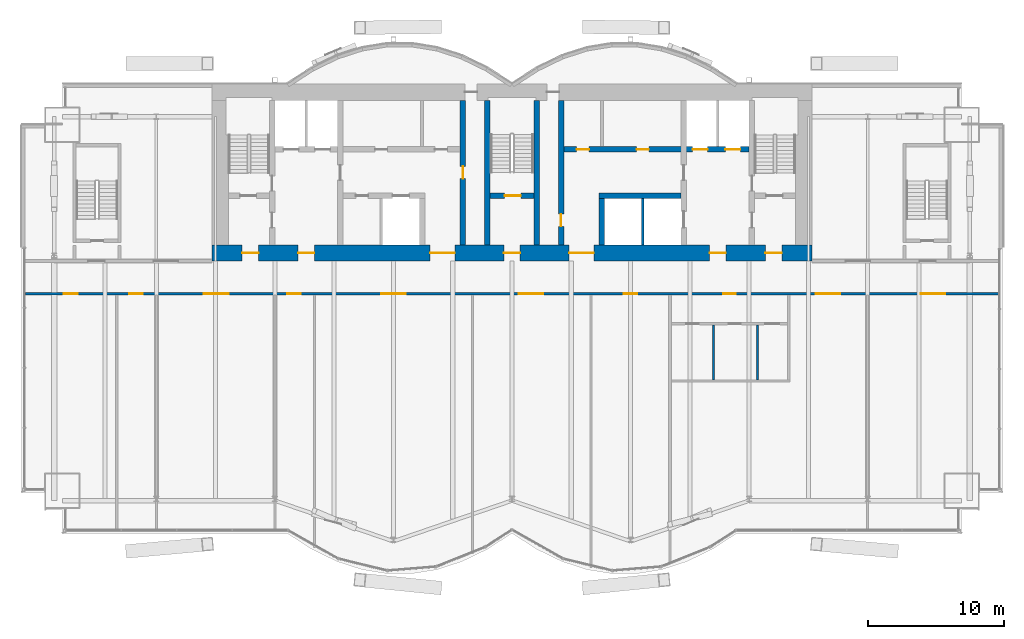
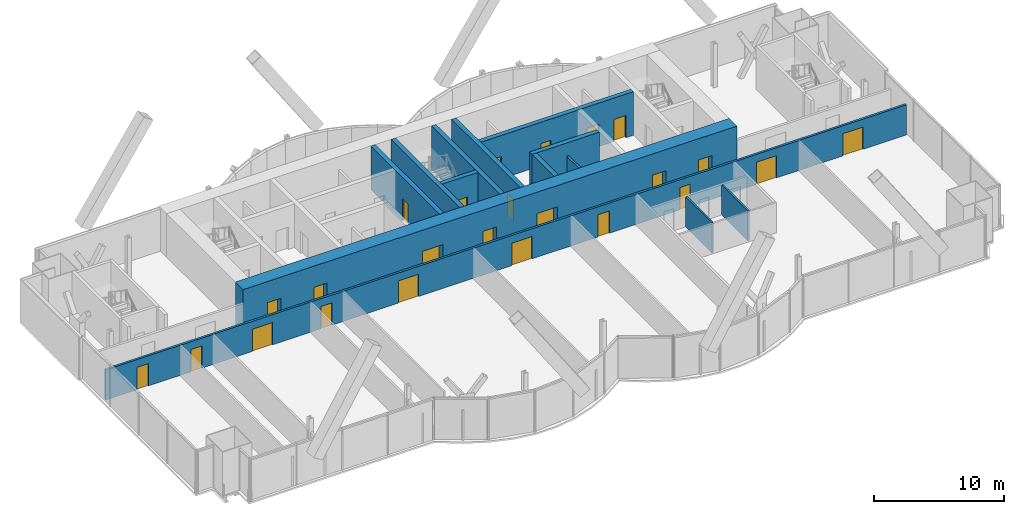
# One storey, part 16 of 21: 24 doors, 13 walls, 24 openings.
"""IFC4 building model written with IfcOpenShell, lengths in metres."""

from ifc_helpers import new_model, si_unit, direction, frame, frame_2d, origin, place, context, subcontext, project, spatial, rectangle, extrude, material, layer, layer_set, type_object, element, fill, save


model = new_model("IFC4")

# Units and contexts
model_context = context("Model", 3, precision=1e-05, world=origin(), true_north=direction((0.0, 1.0)))
body_context = subcontext(model_context, "Body", "Model", "MODEL_VIEW")
ifc_project = project(units=[si_unit("LENGTHUNIT", "METRE"), si_unit("AREAUNIT", "SQUARE_METRE"), si_unit("VOLUMEUNIT", "CUBIC_METRE"), si_unit("PLANEANGLEUNIT", "RADIAN"), si_unit("MASSUNIT", "GRAM", prefix="KILO")], contexts=[model_context])

# Site, building, storey
site_placement = place(None, origin())
site = spatial("IfcSite", under=ifc_project, at=site_placement, CompositionType="ELEMENT")
building_placement = place(site_placement, origin())
building = spatial("IfcBuilding", under=site, at=building_placement, Name="Bicima Exchange Tower", CompositionType="ELEMENT")
storey_placement = place(building_placement, frame((0.0, 0.0, 195.0)))
storey = spatial("IfcBuildingStorey", under=building, at=storey_placement, Name="L43", CompositionType="ELEMENT", Elevation=195.0)

# Wall
ifc_material_1 = material(Name="Gypsum board partition")
ifc_layer_1 = layer(ifc_material_1, 0.199951171875)
ifc_layer_set_1 = layer_set([ifc_layer_1], Name="Gypsum board partition")
wall_type_1 = type_object("IfcWallType", Name="Fire-rated gypsum partition 200 EI120", PredefinedType="PARTITIONING", material=ifc_layer_set_1)
wall_1_placement = place(storey_placement, frame((9.60009765625, -11.800048828125, 0.0), z_axis=(0.0, 0.0, 1.0), x_axis=(0.0, 1.0, 0.0)))
element("IfcWall", 1, at=wall_1_placement, inside=storey, type_object=wall_type_1, Name="partition wall 20", PredefinedType="PARTITIONING", context=body_context, shape_type="SweptSolid", body=[
    extrude(rectangle(XDim=3.400146484375, YDim=0.199951171875, at=frame_2d((1.7001953125, 0.0))), origin(), (0.0, 0.0, 1.0), 2.84033203125),
])

# Wall, openings, doors
ifc_layer_2 = layer(ifc_material_1, 0.199951171875)
ifc_layer_set_2 = layer_set([ifc_layer_2], Name="Gypsum board partition")
wall_type_2 = type_object("IfcWallType", Name="Fire-rated gypsum partition 200 EI60", PredefinedType="PARTITIONING", material=ifc_layer_set_2)
wall_2_placement = place(storey_placement, frame((-35.679931640625, -15.39990234375, 0.0), z_axis=(0.0, 0.0, 1.0), x_axis=(1.0, 0.0, 0.0)))
wall_2 = element("IfcWall", 2, at=wall_2_placement, inside=storey, type_object=wall_type_2, Name="partition wall 3", PredefinedType="PARTITIONING", context=body_context, shape_type="SweptSolid", body=[
    extrude(rectangle(XDim=71.35986328125, YDim=0.199951171875, at=frame_2d((35.679931640625, 0.0))), origin(), (0.0, 0.0, 1.0), 2.84033203125),
])
opening_1_placement = place(wall_2_placement, frame((2.800048828125, 0.0, 0.0)))
opening_1 = element("IfcOpeningElement", 3, at=opening_1_placement, cuts=wall_2, Name="Opening L43-007", PredefinedType="OPENING", context=body_context, shape_type="SweptSolid", body=[
    extrude(rectangle(XDim=1.0, YDim=2.10009765625, at=frame_2d((0.5, 1.050048828125))), frame((0.0, 0.11181640625, 0.0), z_axis=(0.0, -1.0, 0.0), x_axis=(1.0, 0.0, 0.0)), (0.0, 0.0, 1.0), 0.223876953125),
])
opening_2_placement = place(wall_2_placement, frame((7.580078125, 0.0, 0.0)))
opening_2 = element("IfcOpeningElement", 4, at=opening_2_placement, cuts=wall_2, Name="Opening L43-008", PredefinedType="OPENING", context=body_context, shape_type="SweptSolid", body=[
    extrude(rectangle(XDim=1.0, YDim=2.10009765625, at=frame_2d((0.5, 1.050048828125))), frame((0.0, 0.11181640625, 0.0), z_axis=(0.0, -1.0, 0.0), x_axis=(1.0, 0.0, 0.0)), (0.0, 0.0, 1.0), 0.223876953125),
])
opening_3_placement = place(wall_2_placement, frame((13.080078125, 0.0, 0.0)))
opening_3 = element("IfcOpeningElement", 5, at=opening_3_placement, cuts=wall_2, Name="Opening L43-009", PredefinedType="OPENING", context=body_context, shape_type="SweptSolid", body=[
    extrude(rectangle(XDim=1.800048828125, YDim=2.10009765625, at=frame_2d((0.89990234375, 1.050048828125))), frame((0.0, 0.11181640625, 0.0), z_axis=(0.0, -1.0, 0.0), x_axis=(1.0, 0.0, 0.0)), (0.0, 0.0, 1.0), 0.223876953125),
])
opening_4_placement = place(wall_2_placement, frame((19.179931640625, 0.0, 0.0)))
opening_4 = element("IfcOpeningElement", 6, at=opening_4_placement, cuts=wall_2, Name="Opening L43-010", PredefinedType="OPENING", context=body_context, shape_type="SweptSolid", body=[
    extrude(rectangle(XDim=1.0, YDim=2.10009765625, at=frame_2d((0.5, 1.050048828125))), frame((0.0, 0.11181640625, 0.0), z_axis=(0.0, -1.0, 0.0), x_axis=(1.0, 0.0, 0.0)), (0.0, 0.0, 1.0), 0.223876953125),
])
opening_5_placement = place(wall_2_placement, frame((26.080078125, 0.0, 0.0)))
opening_5 = element("IfcOpeningElement", 7, at=opening_5_placement, cuts=wall_2, Name="Opening L43-011", PredefinedType="OPENING", context=body_context, shape_type="SweptSolid", body=[
    extrude(rectangle(XDim=1.800048828125, YDim=2.10009765625, at=frame_2d((0.89990234375, 1.050048828125))), frame((0.0, 0.11181640625, 0.0), z_axis=(0.0, -1.0, 0.0), x_axis=(1.0, 0.0, 0.0)), (0.0, 0.0, 1.0), 0.223876953125),
])
opening_6_placement = place(wall_2_placement, frame((36.179931640625, 0.0, 0.0)))
opening_6 = element("IfcOpeningElement", 8, at=opening_6_placement, cuts=wall_2, Name="Opening L43-012", PredefinedType="OPENING", context=body_context, shape_type="SweptSolid", body=[
    extrude(rectangle(XDim=1.800048828125, YDim=2.10009765625, at=frame_2d((0.89990234375, 1.050048828125))), frame((0.0, 0.11181640625, 0.0), z_axis=(0.0, -1.0, 0.0), x_axis=(1.0, 0.0, 0.0)), (0.0, 0.0, 1.0), 0.223876953125),
])
opening_7_placement = place(wall_2_placement, frame((43.8798828125, 0.0, 0.0)))
opening_7 = element("IfcOpeningElement", 9, at=opening_7_placement, cuts=wall_2, Name="Opening L43-013", PredefinedType="OPENING", context=body_context, shape_type="SweptSolid", body=[
    extrude(rectangle(XDim=1.0, YDim=2.10009765625, at=frame_2d((0.5, 1.050048828125))), frame((0.0, 0.11181640625, 0.0), z_axis=(0.0, -1.0, 0.0), x_axis=(1.0, 0.0, 0.0)), (0.0, 0.0, 1.0), 0.223876953125),
])
opening_8_placement = place(wall_2_placement, frame((51.179931640625, 0.0, 0.0)))
opening_8 = element("IfcOpeningElement", 10, at=opening_8_placement, cuts=wall_2, Name="Opening L43-014", PredefinedType="OPENING", context=body_context, shape_type="SweptSolid", body=[
    extrude(rectangle(XDim=0.89990234375, YDim=2.10009765625, at=frame_2d((0.449951171875, 1.050048828125))), frame((0.0, 0.11181640625, 0.0), z_axis=(0.0, -1.0, 0.0), x_axis=(1.0, 0.0, 0.0)), (0.0, 0.0, 1.0), 0.223876953125),
])
opening_9_placement = place(wall_2_placement, frame((57.97998046875, 0.0, 0.0)))
opening_9 = element("IfcOpeningElement", 11, at=opening_9_placement, cuts=wall_2, Name="Opening L43-018", PredefinedType="OPENING", context=body_context, shape_type="SweptSolid", body=[
    extrude(rectangle(XDim=1.800048828125, YDim=2.10009765625, at=frame_2d((0.89990234375, 1.050048828125))), frame((0.0, 0.11181640625, 0.0), z_axis=(0.0, -1.0, 0.0), x_axis=(1.0, 0.0, 0.0)), (0.0, 0.0, 1.0), 0.223876953125),
])
opening_10_placement = place(wall_2_placement, frame((65.679931640625, 0.0, 0.0)))
opening_10 = element("IfcOpeningElement", 12, at=opening_10_placement, cuts=wall_2, Name="Opening L43-019", PredefinedType="OPENING", context=body_context, shape_type="SweptSolid", body=[
    extrude(rectangle(XDim=1.800048828125, YDim=2.10009765625, at=frame_2d((0.89990234375, 1.050048828125))), frame((0.0, 0.11181640625, 0.0), z_axis=(0.0, -1.0, 0.0), x_axis=(1.0, 0.0, 0.0)), (0.0, 0.0, 1.0), 0.223876953125),
])
ifc_material_2 = material(Name="Steel fire door leaf", Category="steel")
door_type_1 = type_object("IfcDoorType", Name="Door 1000 swing FD30S", OperationType="SINGLE_SWING_LEFT", PredefinedType="DOOR", material=ifc_material_2)
door_1_placement = place(opening_1_placement, frame((1.0, 0.0, 0.0), z_axis=(0.0, 0.0, 1.0), x_axis=(-1.0, 0.0, 0.0)))
door_1 = element("IfcDoor", 13, at=door_1_placement, inside=storey, type_object=door_type_1, Name="Door", OperationType="SINGLE_SWING_LEFT", OverallHeight=2.10009765625, OverallWidth=1.0, PredefinedType="DOOR", context=body_context, shape_type="SweptSolid", body=[
    extrude(rectangle(XDim=1.0, YDim=2.10009765625, at=frame_2d((0.5, 1.050048828125))), frame((0.0, 0.02490234375, 0.0), z_axis=(0.0, -1.0, 0.0), x_axis=(1.0, 0.0, 0.0)), (0.0, 0.0, 1.0), 0.050048828125),
])
fill(opening_1, door_1)
door_2_placement = place(opening_2_placement, frame((1.0, 0.0, 0.0), z_axis=(0.0, 0.0, 1.0), x_axis=(-1.0, 0.0, 0.0)))
door_2 = element("IfcDoor", 14, at=door_2_placement, inside=storey, type_object=door_type_1, Name="Door", OperationType="SINGLE_SWING_RIGHT", OverallHeight=2.10009765625, OverallWidth=1.0, PredefinedType="DOOR", context=body_context, shape_type="SweptSolid", body=[
    extrude(rectangle(XDim=1.0, YDim=2.10009765625, at=frame_2d((0.5, 1.050048828125))), frame((0.0, 0.02490234375, 0.0), z_axis=(0.0, -1.0, 0.0), x_axis=(1.0, 0.0, 0.0)), (0.0, 0.0, 1.0), 0.050048828125),
])
fill(opening_2, door_2)
door_3_placement = place(opening_4_placement, frame((1.0, 0.0, 0.0), z_axis=(0.0, 0.0, 1.0), x_axis=(-1.0, 0.0, 0.0)))
door_3 = element("IfcDoor", 15, at=door_3_placement, inside=storey, type_object=door_type_1, Name="Door", OperationType="SINGLE_SWING_LEFT", OverallHeight=2.10009765625, OverallWidth=1.0, PredefinedType="DOOR", context=body_context, shape_type="SweptSolid", body=[
    extrude(rectangle(XDim=1.0, YDim=2.10009765625, at=frame_2d((0.5, 1.050048828125))), frame((0.0, 0.02490234375, 0.0), z_axis=(0.0, -1.0, 0.0), x_axis=(1.0, 0.0, 0.0)), (0.0, 0.0, 1.0), 0.050048828125),
])
fill(opening_4, door_3)
door_4_placement = place(opening_7_placement, frame((1.0, 0.0, 0.0), z_axis=(0.0, 0.0, 1.0), x_axis=(-1.0, 0.0, 0.0)))
door_4 = element("IfcDoor", 16, at=door_4_placement, inside=storey, type_object=door_type_1, Name="Door", OperationType="SINGLE_SWING_LEFT", OverallHeight=2.10009765625, OverallWidth=1.0, PredefinedType="DOOR", context=body_context, shape_type="SweptSolid", body=[
    extrude(rectangle(XDim=1.0, YDim=2.10009765625, at=frame_2d((0.5, 1.050048828125))), frame((0.0, 0.02490234375, 0.0), z_axis=(0.0, -1.0, 0.0), x_axis=(1.0, 0.0, 0.0)), (0.0, 0.0, 1.0), 0.050048828125),
])
fill(opening_7, door_4)
door_type_2 = type_object("IfcDoorType", Name="Door 1800 double swing FD30S", OperationType="DOUBLE_DOOR_SINGLE_SWING", PredefinedType="DOOR", material=ifc_material_2)
door_5_placement = place(opening_3_placement, origin())
door_5 = element("IfcDoor", 17, at=door_5_placement, inside=storey, type_object=door_type_2, Name="Door", OperationType="SINGLE_SWING_LEFT", OverallHeight=2.10009765625, OverallWidth=1.800048828125, PredefinedType="DOOR", context=body_context, shape_type="SweptSolid", body=[
    extrude(rectangle(XDim=1.800048828125, YDim=2.10009765625, at=frame_2d((0.89990234375, 1.050048828125))), frame((0.0, 0.02490234375, 0.0), z_axis=(0.0, -1.0, 0.0), x_axis=(1.0, 0.0, 0.0)), (0.0, 0.0, 1.0), 0.050048828125),
])
fill(opening_3, door_5)
door_6_placement = place(opening_5_placement, origin())
door_6 = element("IfcDoor", 18, at=door_6_placement, inside=storey, type_object=door_type_2, Name="Door", OperationType="SINGLE_SWING_LEFT", OverallHeight=2.10009765625, OverallWidth=1.800048828125, PredefinedType="DOOR", context=body_context, shape_type="SweptSolid", body=[
    extrude(rectangle(XDim=1.800048828125, YDim=2.10009765625, at=frame_2d((0.89990234375, 1.050048828125))), frame((0.0, 0.02490234375, 0.0), z_axis=(0.0, -1.0, 0.0), x_axis=(1.0, 0.0, 0.0)), (0.0, 0.0, 1.0), 0.050048828125),
])
fill(opening_5, door_6)
door_7_placement = place(opening_6_placement, origin())
door_7 = element("IfcDoor", 19, at=door_7_placement, inside=storey, type_object=door_type_2, Name="Door", OperationType="SINGLE_SWING_LEFT", OverallHeight=2.10009765625, OverallWidth=1.800048828125, PredefinedType="DOOR", context=body_context, shape_type="SweptSolid", body=[
    extrude(rectangle(XDim=1.800048828125, YDim=2.10009765625, at=frame_2d((0.89990234375, 1.050048828125))), frame((0.0, 0.02490234375, 0.0), z_axis=(0.0, -1.0, 0.0), x_axis=(1.0, 0.0, 0.0)), (0.0, 0.0, 1.0), 0.050048828125),
])
fill(opening_6, door_7)
door_8_placement = place(opening_9_placement, origin())
door_8 = element("IfcDoor", 20, at=door_8_placement, inside=storey, type_object=door_type_2, Name="Door", OperationType="SINGLE_SWING_LEFT", OverallHeight=2.10009765625, OverallWidth=1.800048828125, PredefinedType="DOOR", context=body_context, shape_type="SweptSolid", body=[
    extrude(rectangle(XDim=1.800048828125, YDim=2.10009765625, at=frame_2d((0.89990234375, 1.050048828125))), frame((0.0, 0.02490234375, 0.0), z_axis=(0.0, -1.0, 0.0), x_axis=(1.0, 0.0, 0.0)), (0.0, 0.0, 1.0), 0.050048828125),
])
fill(opening_9, door_8)
door_9_placement = place(opening_10_placement, origin())
door_9 = element("IfcDoor", 21, at=door_9_placement, inside=storey, type_object=door_type_2, Name="Door", OperationType="SINGLE_SWING_LEFT", OverallHeight=2.10009765625, OverallWidth=1.800048828125, PredefinedType="DOOR", context=body_context, shape_type="SweptSolid", body=[
    extrude(rectangle(XDim=1.800048828125, YDim=2.10009765625, at=frame_2d((0.89990234375, 1.050048828125))), frame((0.0, 0.02490234375, 0.0), z_axis=(0.0, -1.0, 0.0), x_axis=(1.0, 0.0, 0.0)), (0.0, 0.0, 1.0), 0.050048828125),
])
fill(opening_10, door_9)
door_type_3 = type_object("IfcDoorType", Name="Door 900 swing FD30S", OperationType="SINGLE_SWING_LEFT", PredefinedType="DOOR", material=ifc_material_2)
door_10_placement = place(opening_8_placement, frame((0.89990234375, 0.0, 0.0), z_axis=(0.0, 0.0, 1.0), x_axis=(-1.0, 0.0, 0.0)))
door_10 = element("IfcDoor", 22, at=door_10_placement, inside=storey, type_object=door_type_3, Name="Door", OperationType="SINGLE_SWING_RIGHT", OverallHeight=2.10009765625, OverallWidth=0.89990234375, PredefinedType="DOOR", context=body_context, shape_type="SweptSolid", body=[
    extrude(rectangle(XDim=0.89990234375, YDim=2.10009765625, at=frame_2d((0.449951171875, 1.050048828125))), frame((0.0, 0.02490234375, 0.0), z_axis=(0.0, -1.0, 0.0), x_axis=(1.0, 0.0, 0.0)), (0.0, 0.0, 1.0), 0.050048828125),
])
fill(opening_8, door_10)

# Walls
ifc_layer_3 = layer(ifc_material_1, 0.14990234375)
ifc_layer_set_3 = layer_set([ifc_layer_3], Name="Gypsum board partition")
wall_type_3 = type_object("IfcWallType", Name="Gypsum partition 150", PredefinedType="PARTITIONING", material=ifc_layer_set_3)
for number, where, z_axis, x_axis, name in (
    (23, (14.800048828125, -21.72509765625, 0.0), (0.0, 0.0, 1.0), (0.0, 1.0, 0.0), "partition wall 21"),
    (24, (18.0, -21.72509765625, 0.0), (0.0, 0.0, 1.0), (0.0, 1.0, 0.0), "partition wall 22"),
):
    element("IfcWall", number, at=place(storey_placement, frame(where, z_axis=z_axis, x_axis=x_axis)), inside=storey, type_object=wall_type_3, Name=name, PredefinedType="PARTITIONING", context=body_context, shape_type="SweptSolid", body=[
        extrude(rectangle(XDim=4.025146484375, YDim=0.14990234375, at=frame_2d((2.0126953125, 0.0))), origin(), (0.0, 0.0, 1.0), 2.84033203125),
    ])

# Wall, openings, doors
ifc_material_3 = material(Name="Concrete C50/60", Category="concrete")
ifc_layer_4 = layer(ifc_material_3, 1.199951171875)
ifc_layer_set_4 = layer_set([ifc_layer_4], Name="Concrete C50/60")
wall_type_4 = type_object("IfcWallType", Name="RC core wall 1200 C50/60", PredefinedType="SHEAR", material=ifc_layer_set_4)
wall_3_placement = place(storey_placement, frame((-22.0, -12.39990234375, 0.0), z_axis=(0.0, 0.0, 1.0), x_axis=(1.0, 0.0, 0.0)))
wall_3 = element("IfcWall", 25, at=wall_3_placement, inside=storey, type_object=wall_type_4, Name="Core wall south", PredefinedType="SHEAR", context=body_context, shape_type="SweptSolid", body=[
    extrude(rectangle(XDim=44.0, YDim=1.199951171875, at=frame_2d((22.0, 0.0))), origin(), (0.0, 0.0, 1.0), 4.10009765625),
])
opening_11_placement = place(wall_3_placement, frame((2.199951171875, 0.0, 0.0)))
opening_11 = element("IfcOpeningElement", 26, at=opening_11_placement, cuts=wall_3, Name="Opening L43-C19", PredefinedType="OPENING", context=body_context, shape_type="SweptSolid", body=[
    extrude(rectangle(XDim=1.199951171875, YDim=2.10009765625, at=frame_2d((0.60009765625, 1.050048828125))), frame((0.0, 0.61181640625, 0.0), z_axis=(0.0, -1.0, 0.0), x_axis=(1.0, 0.0, 0.0)), (0.0, 0.0, 1.0), 1.223876953125),
])
opening_12_placement = place(wall_3_placement, frame((21.39990234375, 0.0, 0.0)))
opening_12 = element("IfcOpeningElement", 27, at=opening_12_placement, cuts=wall_3, Name="Opening L43-C20", PredefinedType="OPENING", context=body_context, shape_type="SweptSolid", body=[
    extrude(rectangle(XDim=1.199951171875, YDim=2.10009765625, at=frame_2d((0.60009765625, 1.050048828125))), frame((0.0, 0.61181640625, 0.0), z_axis=(0.0, -1.0, 0.0), x_axis=(1.0, 0.0, 0.0)), (0.0, 0.0, 1.0), 1.223876953125),
])
opening_13_placement = place(wall_3_placement, frame((40.60009765625, 0.0, 0.0)))
opening_13 = element("IfcOpeningElement", 28, at=opening_13_placement, cuts=wall_3, Name="Opening L43-C21", PredefinedType="OPENING", context=body_context, shape_type="SweptSolid", body=[
    extrude(rectangle(XDim=1.199951171875, YDim=2.10009765625, at=frame_2d((0.60009765625, 1.050048828125))), frame((0.0, 0.61181640625, 0.0), z_axis=(0.0, -1.0, 0.0), x_axis=(1.0, 0.0, 0.0)), (0.0, 0.0, 1.0), 1.223876953125),
])
opening_14_placement = place(wall_3_placement, frame((16.0, 0.0, 0.0)))
opening_14 = element("IfcOpeningElement", 29, at=opening_14_placement, cuts=wall_3, Name="Opening L43-C22", PredefinedType="OPENING", context=body_context, shape_type="SweptSolid", body=[
    extrude(rectangle(XDim=1.800048828125, YDim=2.10009765625, at=frame_2d((0.89990234375, 1.050048828125))), frame((0.0, 0.61181640625, 0.0), z_axis=(0.0, -1.0, 0.0), x_axis=(1.0, 0.0, 0.0)), (0.0, 0.0, 1.0), 1.223876953125),
])
opening_15_placement = place(wall_3_placement, frame((6.300048828125, 0.0, 0.0)))
opening_15 = element("IfcOpeningElement", 30, at=opening_15_placement, cuts=wall_3, Name="Opening L43-C23", PredefinedType="OPENING", context=body_context, shape_type="SweptSolid", body=[
    extrude(rectangle(XDim=1.199951171875, YDim=2.10009765625, at=frame_2d((0.60009765625, 1.050048828125))), frame((0.0, 0.61181640625, 0.0), z_axis=(0.0, -1.0, 0.0), x_axis=(1.0, 0.0, 0.0)), (0.0, 0.0, 1.0), 1.223876953125),
])
opening_16_placement = place(wall_3_placement, frame((26.199951171875, 0.0, 0.0)))
opening_16 = element("IfcOpeningElement", 31, at=opening_16_placement, cuts=wall_3, Name="Opening L43-C24", PredefinedType="OPENING", context=body_context, shape_type="SweptSolid", body=[
    extrude(rectangle(XDim=1.800048828125, YDim=2.10009765625, at=frame_2d((0.89990234375, 1.050048828125))), frame((0.0, 0.61181640625, 0.0), z_axis=(0.0, -1.0, 0.0), x_axis=(1.0, 0.0, 0.0)), (0.0, 0.0, 1.0), 1.223876953125),
])
opening_17_placement = place(wall_3_placement, frame((36.5, 0.0, 0.0)))
opening_17 = element("IfcOpeningElement", 32, at=opening_17_placement, cuts=wall_3, Name="Opening L43-C25", PredefinedType="OPENING", context=body_context, shape_type="SweptSolid", body=[
    extrude(rectangle(XDim=1.199951171875, YDim=2.10009765625, at=frame_2d((0.60009765625, 1.050048828125))), frame((0.0, 0.61181640625, 0.0), z_axis=(0.0, -1.0, 0.0), x_axis=(1.0, 0.0, 0.0)), (0.0, 0.0, 1.0), 1.223876953125),
])
door_type_4 = type_object("IfcDoorType", Name="Door 1200 swing FD60S", OperationType="SINGLE_SWING_LEFT", PredefinedType="DOOR", material=ifc_material_2)
door_11_placement = place(opening_11_placement, frame((1.199951171875, 0.0, 0.0), z_axis=(0.0, 0.0, 1.0), x_axis=(-1.0, 0.0, 0.0)))
door_11 = element("IfcDoor", 33, at=door_11_placement, inside=storey, type_object=door_type_4, Name="Core door", OperationType="SINGLE_SWING_RIGHT", OverallHeight=2.10009765625, OverallWidth=1.199951171875, PredefinedType="DOOR", context=body_context, shape_type="SweptSolid", body=[
    extrude(rectangle(XDim=1.199951171875, YDim=2.10009765625, at=frame_2d((0.60009765625, 1.050048828125))), frame((0.0, 0.02490234375, 0.0), z_axis=(0.0, -1.0, 0.0), x_axis=(1.0, 0.0, 0.0)), (0.0, 0.0, 1.0), 0.050048828125),
])
fill(opening_11, door_11)
door_12_placement = place(opening_12_placement, frame((1.199951171875, 0.0, 0.0), z_axis=(0.0, 0.0, 1.0), x_axis=(-1.0, 0.0, 0.0)))
door_12 = element("IfcDoor", 34, at=door_12_placement, inside=storey, type_object=door_type_4, Name="Core door", OperationType="SINGLE_SWING_RIGHT", OverallHeight=2.10009765625, OverallWidth=1.199951171875, PredefinedType="DOOR", context=body_context, shape_type="SweptSolid", body=[
    extrude(rectangle(XDim=1.199951171875, YDim=2.10009765625, at=frame_2d((0.60009765625, 1.050048828125))), frame((0.0, 0.02490234375, 0.0), z_axis=(0.0, -1.0, 0.0), x_axis=(1.0, 0.0, 0.0)), (0.0, 0.0, 1.0), 0.050048828125),
])
fill(opening_12, door_12)
door_13_placement = place(opening_13_placement, frame((1.199951171875, 0.0, 0.0), z_axis=(0.0, 0.0, 1.0), x_axis=(-1.0, 0.0, 0.0)))
door_13 = element("IfcDoor", 35, at=door_13_placement, inside=storey, type_object=door_type_4, Name="Core door", OperationType="SINGLE_SWING_RIGHT", OverallHeight=2.10009765625, OverallWidth=1.199951171875, PredefinedType="DOOR", context=body_context, shape_type="SweptSolid", body=[
    extrude(rectangle(XDim=1.199951171875, YDim=2.10009765625, at=frame_2d((0.60009765625, 1.050048828125))), frame((0.0, 0.02490234375, 0.0), z_axis=(0.0, -1.0, 0.0), x_axis=(1.0, 0.0, 0.0)), (0.0, 0.0, 1.0), 0.050048828125),
])
fill(opening_13, door_13)
door_14_placement = place(opening_15_placement, frame((1.199951171875, 0.0, 0.0), z_axis=(0.0, 0.0, 1.0), x_axis=(-1.0, 0.0, 0.0)))
door_14 = element("IfcDoor", 36, at=door_14_placement, inside=storey, type_object=door_type_4, Name="Core door", OperationType="SINGLE_SWING_RIGHT", OverallHeight=2.10009765625, OverallWidth=1.199951171875, PredefinedType="DOOR", context=body_context, shape_type="SweptSolid", body=[
    extrude(rectangle(XDim=1.199951171875, YDim=2.10009765625, at=frame_2d((0.60009765625, 1.050048828125))), frame((0.0, 0.02490234375, 0.0), z_axis=(0.0, -1.0, 0.0), x_axis=(1.0, 0.0, 0.0)), (0.0, 0.0, 1.0), 0.050048828125),
])
fill(opening_15, door_14)
door_15_placement = place(opening_17_placement, frame((1.199951171875, 0.0, 0.0), z_axis=(0.0, 0.0, 1.0), x_axis=(-1.0, 0.0, 0.0)))
door_15 = element("IfcDoor", 37, at=door_15_placement, inside=storey, type_object=door_type_4, Name="Core door", OperationType="SINGLE_SWING_RIGHT", OverallHeight=2.10009765625, OverallWidth=1.199951171875, PredefinedType="DOOR", context=body_context, shape_type="SweptSolid", body=[
    extrude(rectangle(XDim=1.199951171875, YDim=2.10009765625, at=frame_2d((0.60009765625, 1.050048828125))), frame((0.0, 0.02490234375, 0.0), z_axis=(0.0, -1.0, 0.0), x_axis=(1.0, 0.0, 0.0)), (0.0, 0.0, 1.0), 0.050048828125),
])
fill(opening_17, door_15)
door_16_placement = place(opening_14_placement, origin())
door_16 = element("IfcDoor", 38, at=door_16_placement, inside=storey, type_object=door_type_2, Name="Core door", OperationType="SINGLE_SWING_LEFT", OverallHeight=2.10009765625, OverallWidth=1.800048828125, PredefinedType="DOOR", context=body_context, shape_type="SweptSolid", body=[
    extrude(rectangle(XDim=1.800048828125, YDim=2.10009765625, at=frame_2d((0.89990234375, 1.050048828125))), frame((0.0, 0.02490234375, 0.0), z_axis=(0.0, -1.0, 0.0), x_axis=(1.0, 0.0, 0.0)), (0.0, 0.0, 1.0), 0.050048828125),
])
fill(opening_14, door_16)
door_17_placement = place(opening_16_placement, origin())
door_17 = element("IfcDoor", 39, at=door_17_placement, inside=storey, type_object=door_type_2, Name="Core door", OperationType="SINGLE_SWING_LEFT", OverallHeight=2.10009765625, OverallWidth=1.800048828125, PredefinedType="DOOR", context=body_context, shape_type="SweptSolid", body=[
    extrude(rectangle(XDim=1.800048828125, YDim=2.10009765625, at=frame_2d((0.89990234375, 1.050048828125))), frame((0.0, 0.02490234375, 0.0), z_axis=(0.0, -1.0, 0.0), x_axis=(1.0, 0.0, 0.0)), (0.0, 0.0, 1.0), 0.050048828125),
])
fill(opening_16, door_17)

# Wall, opening, door
ifc_layer_5 = layer(ifc_material_3, 0.39990234375)
ifc_layer_set_5 = layer_set([ifc_layer_5], Name="Concrete C50/60")
wall_type_5 = type_object("IfcWallType", Name="RC core wall 400 C50/60", PredefinedType="SHEAR", material=ifc_layer_set_5)
wall_4_placement = place(storey_placement, frame((-1.60009765625, -8.199951171875, 0.0), z_axis=(0.0, 0.0, 1.0), x_axis=(1.0, 0.0, 0.0)))
wall_4 = element("IfcWall", 40, at=wall_4_placement, inside=storey, type_object=wall_type_5, Name="stair wall 3", PredefinedType="SHEAR", context=body_context, shape_type="SweptSolid", body=[
    extrude(rectangle(XDim=3.2001953125, YDim=0.39990234375, at=frame_2d((1.60009765625, 0.0))), origin(), (0.0, 0.0, 1.0), 4.10009765625),
])
opening_18_placement = place(wall_4_placement, frame((1.050048828125, 0.0, 0.0)))
opening_18 = element("IfcOpeningElement", 41, at=opening_18_placement, cuts=wall_4, Name="Opening L43-C03", PredefinedType="OPENING", context=body_context, shape_type="SweptSolid", body=[
    extrude(rectangle(XDim=1.199951171875, YDim=2.10009765625, at=frame_2d((0.60009765625, 1.050048828125))), frame((0.0, 0.2119140625, 0.0), z_axis=(0.0, -1.0, 0.0), x_axis=(1.0, 0.0, 0.0)), (0.0, 0.0, 1.0), 0.423828125),
])
door_18_placement = place(opening_18_placement, origin())
door_18 = element("IfcDoor", 42, at=door_18_placement, inside=storey, type_object=door_type_4, Name="Core door", OperationType="SINGLE_SWING_LEFT", OverallHeight=2.10009765625, OverallWidth=1.199951171875, PredefinedType="DOOR", context=body_context, shape_type="SweptSolid", body=[
    extrude(rectangle(XDim=1.199951171875, YDim=2.10009765625, at=frame_2d((0.60009765625, 1.050048828125))), frame((0.0, 0.02490234375, 0.0), z_axis=(0.0, -1.0, 0.0), x_axis=(1.0, 0.0, 0.0)), (0.0, 0.0, 1.0), 0.050048828125),
])
fill(opening_18, door_18)

# Wall
wall_5_placement = place(storey_placement, frame((6.39990234375, -8.199951171875, 0.0), z_axis=(0.0, 0.0, 1.0), x_axis=(1.0, 0.0, 0.0)))
element("IfcWall", 43, at=wall_5_placement, inside=storey, type_object=wall_type_5, Name="shear wall 4", PredefinedType="SHEAR", context=body_context, shape_type="SweptSolid", body=[
    extrude(rectangle(XDim=6.0, YDim=0.39990234375, at=frame_2d((3.0, 0.0))), origin(), (0.0, 0.0, 1.0), 4.10009765625),
])

# Wall, openings, doors
wall_6_placement = place(storey_placement, frame((3.800048828125, -4.800048828125, 0.0), z_axis=(0.0, 0.0, 1.0), x_axis=(1.0, 0.0, 0.0)))
wall_6 = element("IfcWall", 44, at=wall_6_placement, inside=storey, type_object=wall_type_5, Name="shear wall 7", PredefinedType="SHEAR", context=body_context, shape_type="SweptSolid", body=[
    extrude(rectangle(XDim=13.599853515625, YDim=0.39990234375, at=frame_2d((6.7998046875, 0.0))), origin(), (0.0, 0.0, 1.0), 4.10009765625),
])
opening_19_placement = place(wall_6_placement, frame((9.449951171875, 0.0, 0.0)))
opening_19 = element("IfcOpeningElement", 45, at=opening_19_placement, cuts=wall_6, Name="Opening LD-FF2-L43", PredefinedType="OPENING", context=body_context, shape_type="SweptSolid", body=[
    extrude(rectangle(XDim=1.10009765625, YDim=2.10009765625, at=frame_2d((0.550048828125, 1.050048828125))), frame((0.0, 0.2119140625, 0.0), z_axis=(0.0, -1.0, 0.0), x_axis=(1.0, 0.0, 0.0)), (0.0, 0.0, 1.0), 0.423828125),
])
opening_20_placement = place(wall_6_placement, frame((11.85009765625, 0.0, 0.0)))
opening_20 = element("IfcOpeningElement", 46, at=opening_20_placement, cuts=wall_6, Name="Opening LD-SV1-L43", PredefinedType="OPENING", context=body_context, shape_type="SweptSolid", body=[
    extrude(rectangle(XDim=1.10009765625, YDim=2.10009765625, at=frame_2d((0.550048828125, 1.050048828125))), frame((0.0, 0.2119140625, 0.0), z_axis=(0.0, -1.0, 0.0), x_axis=(1.0, 0.0, 0.0)), (0.0, 0.0, 1.0), 0.423828125),
])
opening_21_placement = place(wall_6_placement, frame((0.949951171875, 0.0, 0.0)))
opening_21 = element("IfcOpeningElement", 47, at=opening_21_placement, cuts=wall_6, Name="Opening L43-C14", PredefinedType="OPENING", context=body_context, shape_type="SweptSolid", body=[
    extrude(rectangle(XDim=0.89990234375, YDim=2.10009765625, at=frame_2d((0.449951171875, 1.050048828125))), frame((0.0, 0.2119140625, 0.0), z_axis=(0.0, -1.0, 0.0), x_axis=(1.0, 0.0, 0.0)), (0.0, 0.0, 1.0), 0.423828125),
])
opening_22_placement = place(wall_6_placement, frame((5.35009765625, 0.0, 0.0)))
opening_22 = element("IfcOpeningElement", 48, at=opening_22_placement, cuts=wall_6, Name="Opening L43-C15", PredefinedType="OPENING", context=body_context, shape_type="SweptSolid", body=[
    extrude(rectangle(XDim=0.89990234375, YDim=2.10009765625, at=frame_2d((0.449951171875, 1.050048828125))), frame((0.0, 0.2119140625, 0.0), z_axis=(0.0, -1.0, 0.0), x_axis=(1.0, 0.0, 0.0)), (0.0, 0.0, 1.0), 0.423828125),
])
door_19_placement = place(opening_21_placement, origin())
door_19 = element("IfcDoor", 49, at=door_19_placement, inside=storey, type_object=door_type_3, Name="Core door", OperationType="SINGLE_SWING_RIGHT", OverallHeight=2.10009765625, OverallWidth=0.89990234375, PredefinedType="DOOR", context=body_context, shape_type="SweptSolid", body=[
    extrude(rectangle(XDim=0.89990234375, YDim=2.10009765625, at=frame_2d((0.449951171875, 1.050048828125))), frame((0.0, 0.02490234375, 0.0), z_axis=(0.0, -1.0, 0.0), x_axis=(1.0, 0.0, 0.0)), (0.0, 0.0, 1.0), 0.050048828125),
])
fill(opening_21, door_19)
door_20_placement = place(opening_22_placement, origin())
door_20 = element("IfcDoor", 50, at=door_20_placement, inside=storey, type_object=door_type_3, Name="Core door", OperationType="SINGLE_SWING_LEFT", OverallHeight=2.10009765625, OverallWidth=0.89990234375, PredefinedType="DOOR", context=body_context, shape_type="SweptSolid", body=[
    extrude(rectangle(XDim=0.89990234375, YDim=2.10009765625, at=frame_2d((0.449951171875, 1.050048828125))), frame((0.0, 0.02490234375, 0.0), z_axis=(0.0, -1.0, 0.0), x_axis=(1.0, 0.0, 0.0)), (0.0, 0.0, 1.0), 0.050048828125),
])
fill(opening_22, door_20)
ifc_material_4 = material(Name="Stainless steel", Category="steel")
door_type_5 = type_object("IfcDoorType", Name="Lift landing door 1100 sliding", OperationType="DOUBLE_DOOR_SLIDING", PredefinedType="DOOR", material=ifc_material_4)
door_21_placement = place(opening_19_placement, origin())
door_21 = element("IfcDoor", 51, at=door_21_placement, inside=storey, type_object=door_type_5, Name="Lift landing door FF2", OperationType="DOUBLE_DOOR_SLIDING", OverallHeight=2.10009765625, OverallWidth=1.10009765625, PredefinedType="DOOR", context=body_context, shape_type="SweptSolid", body=[
    extrude(rectangle(XDim=1.10009765625, YDim=2.10009765625, at=frame_2d((0.550048828125, 1.050048828125))), frame((0.0, 0.02490234375, 0.0), z_axis=(0.0, -1.0, 0.0), x_axis=(1.0, 0.0, 0.0)), (0.0, 0.0, 1.0), 0.050048828125),
])
fill(opening_19, door_21)
door_22_placement = place(opening_20_placement, origin())
door_22 = element("IfcDoor", 52, at=door_22_placement, inside=storey, type_object=door_type_5, Name="Lift landing door SV1", OperationType="DOUBLE_DOOR_SLIDING", OverallHeight=2.10009765625, OverallWidth=1.10009765625, PredefinedType="DOOR", context=body_context, shape_type="SweptSolid", body=[
    extrude(rectangle(XDim=1.10009765625, YDim=2.10009765625, at=frame_2d((0.550048828125, 1.050048828125))), frame((0.0, 0.02490234375, 0.0), z_axis=(0.0, -1.0, 0.0), x_axis=(1.0, 0.0, 0.0)), (0.0, 0.0, 1.0), 0.050048828125),
])
fill(opening_20, door_22)

# Wall, opening, door
wall_7_placement = place(storey_placement, frame((-3.60009765625, -11.800048828125, 0.0), z_axis=(0.0, 0.0, 1.0), x_axis=(0.0, 1.0, 0.0)))
wall_7 = element("IfcWall", 53, at=wall_7_placement, inside=storey, type_object=wall_type_5, Name="shear wall 14", PredefinedType="SHEAR", context=body_context, shape_type="SweptSolid", body=[
    extrude(rectangle(XDim=10.60009765625, YDim=0.39990234375, at=frame_2d((5.300048828125, 0.0))), origin(), (0.0, 0.0, 1.0), 4.10009765625),
])
opening_23_placement = place(wall_7_placement, frame((4.85009765625, 0.0, 0.0)))
opening_23 = element("IfcOpeningElement", 54, at=opening_23_placement, cuts=wall_7, Name="Opening L43-C10", PredefinedType="OPENING", context=body_context, shape_type="SweptSolid", body=[
    extrude(rectangle(XDim=0.89990234375, YDim=2.10009765625, at=frame_2d((0.449951171875, 1.050048828125))), frame((0.0, 0.2119140625, 0.0), z_axis=(0.0, -1.0, 0.0), x_axis=(1.0, 0.0, 0.0)), (0.0, 0.0, 1.0), 0.423828125),
])
door_23_placement = place(opening_23_placement, frame((0.89990234375, 0.0, 0.0), z_axis=(0.0, 0.0, 1.0), x_axis=(-1.0, 0.0, 0.0)))
door_23 = element("IfcDoor", 55, at=door_23_placement, inside=storey, type_object=door_type_3, Name="Core door", OperationType="SINGLE_SWING_LEFT", OverallHeight=2.10009765625, OverallWidth=0.89990234375, PredefinedType="DOOR", context=body_context, shape_type="SweptSolid", body=[
    extrude(rectangle(XDim=0.89990234375, YDim=2.10009765625, at=frame_2d((0.449951171875, 1.050048828125))), frame((0.0, 0.02490234375, 0.0), z_axis=(0.0, -1.0, 0.0), x_axis=(1.0, 0.0, 0.0)), (0.0, 0.0, 1.0), 0.050048828125),
])
fill(opening_23, door_23)

# Walls
for number, where, z_axis, x_axis, name in (
    (56, (-1.800048828125, -11.800048828125, 0.0), (0.0, 0.0, 1.0), (0.0, 1.0, 0.0), "stair wall 15"),
    (57, (1.800048828125, -11.800048828125, 0.0), (0.0, 0.0, 1.0), (0.0, 1.0, 0.0), "stair wall 16"),
):
    element("IfcWall", number, at=place(storey_placement, frame(where, z_axis=z_axis, x_axis=x_axis)), inside=storey, type_object=wall_type_5, Name=name, PredefinedType="SHEAR", context=body_context, shape_type="SweptSolid", body=[
        extrude(rectangle(XDim=10.60009765625, YDim=0.39990234375, at=frame_2d((5.300048828125, 0.0))), origin(), (0.0, 0.0, 1.0), 4.10009765625),
    ])

# Wall, opening, door
wall_8_placement = place(storey_placement, frame((3.60009765625, -11.800048828125, 0.0), z_axis=(0.0, 0.0, 1.0), x_axis=(0.0, 1.0, 0.0)))
wall_8 = element("IfcWall", 58, at=wall_8_placement, inside=storey, type_object=wall_type_5, Name="shear wall 17", PredefinedType="SHEAR", context=body_context, shape_type="SweptSolid", body=[
    extrude(rectangle(XDim=10.60009765625, YDim=0.39990234375, at=frame_2d((5.300048828125, 0.0))), origin(), (0.0, 0.0, 1.0), 4.10009765625),
])
opening_24_placement = place(wall_8_placement, frame((1.35009765625, 0.0, 0.0)))
opening_24 = element("IfcOpeningElement", 59, at=opening_24_placement, cuts=wall_8, Name="Opening L43-C11", PredefinedType="OPENING", context=body_context, shape_type="SweptSolid", body=[
    extrude(rectangle(XDim=0.89990234375, YDim=2.10009765625, at=frame_2d((0.449951171875, 1.050048828125))), frame((0.0, 0.2119140625, 0.0), z_axis=(0.0, -1.0, 0.0), x_axis=(1.0, 0.0, 0.0)), (0.0, 0.0, 1.0), 0.423828125),
])
door_24_placement = place(opening_24_placement, origin())
door_24 = element("IfcDoor", 60, at=door_24_placement, inside=storey, type_object=door_type_3, Name="Core door", OperationType="SINGLE_SWING_LEFT", OverallHeight=2.10009765625, OverallWidth=0.89990234375, PredefinedType="DOOR", context=body_context, shape_type="SweptSolid", body=[
    extrude(rectangle(XDim=0.89990234375, YDim=2.10009765625, at=frame_2d((0.449951171875, 1.050048828125))), frame((0.0, 0.02490234375, 0.0), z_axis=(0.0, -1.0, 0.0), x_axis=(1.0, 0.0, 0.0)), (0.0, 0.0, 1.0), 0.050048828125),
])
fill(opening_24, door_24)

# Wall
wall_9_placement = place(storey_placement, frame((6.60009765625, -11.800048828125, 0.0), z_axis=(0.0, 0.0, 1.0), x_axis=(0.0, 1.0, 0.0)))
element("IfcWall", 61, at=wall_9_placement, inside=storey, type_object=wall_type_5, Name="shear wall 18", PredefinedType="SHEAR", context=body_context, shape_type="SweptSolid", body=[
    extrude(rectangle(XDim=3.400146484375, YDim=0.39990234375, at=frame_2d((1.7001953125, 0.0))), origin(), (0.0, 0.0, 1.0), 4.10009765625),
])

save(model, "model.ifc")
